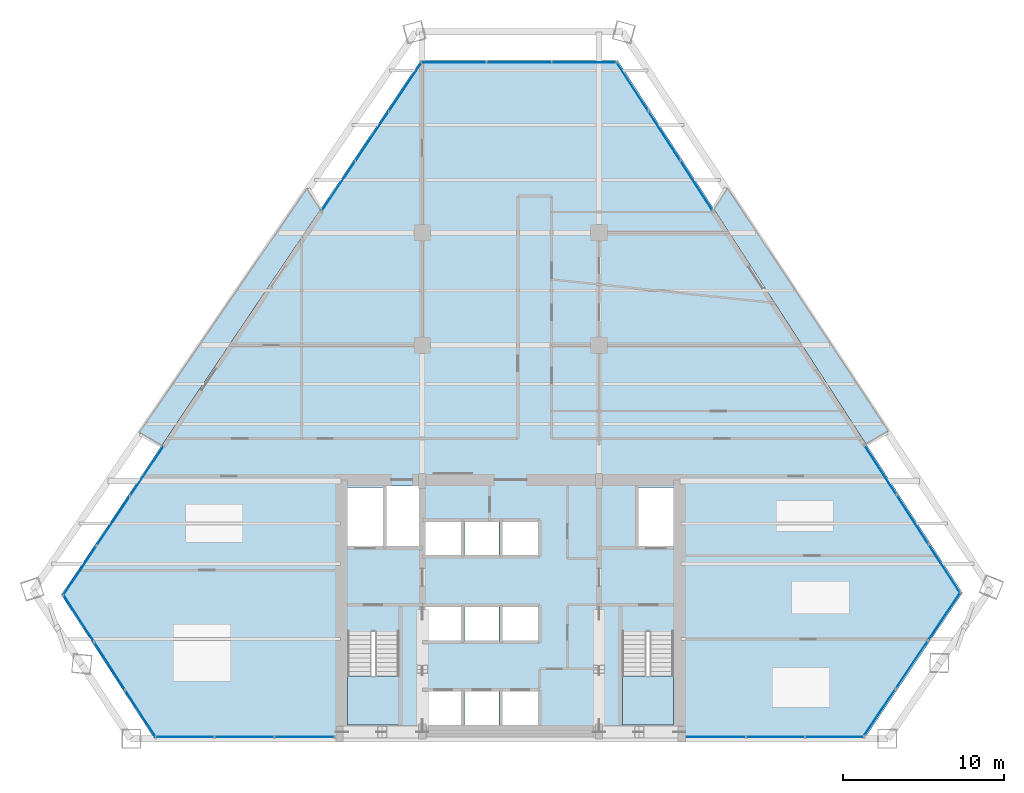
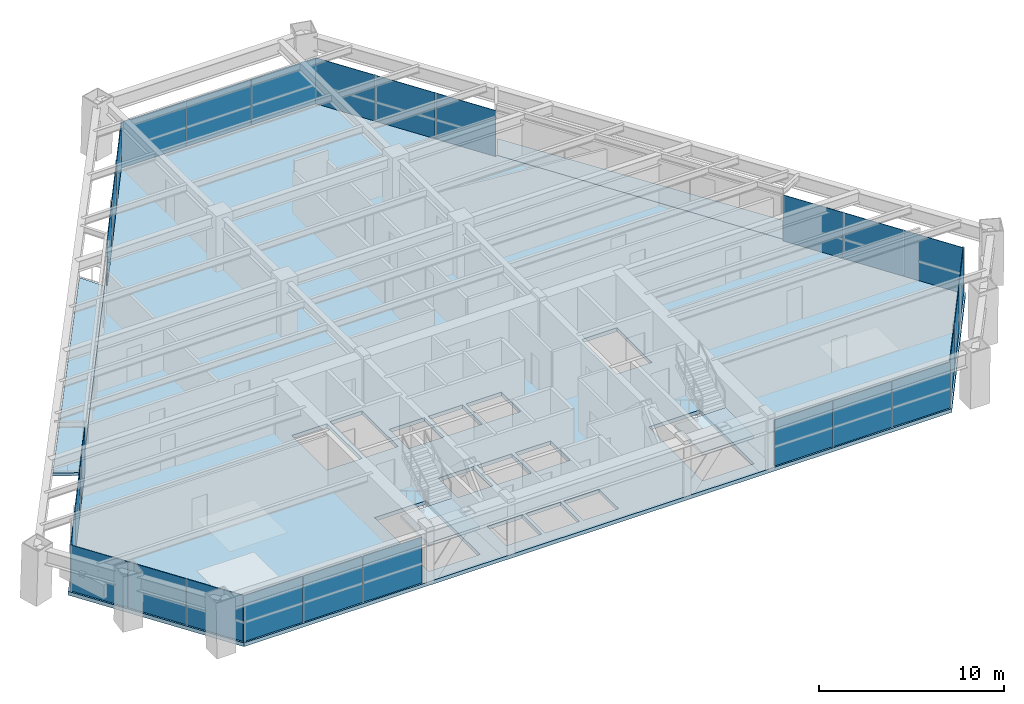
# One storey, part 9 of 14: 27 plates, 5 slabs, 11 elements without a shape of their own.
"""IFC4 building model written with IfcOpenShell, lengths in metres."""

from ifc_helpers import new_model, si_unit, direction, frame, origin, origin_2d, place, context, subcontext, project, spatial, polyline, rectangle, outline, extrude, source, transform, mapped, material, layer, layer_set, type_object, element, aggregate, save


model = new_model("IFC4")

# Units and contexts
model_context = context("Model", 3, precision=1e-05, world=origin(), true_north=direction((0.0, 1.0)))
body_context = subcontext(model_context, "Body", "Model", "MODEL_VIEW")
ifc_project = project(units=[si_unit("LENGTHUNIT", "METRE"), si_unit("AREAUNIT", "SQUARE_METRE"), si_unit("VOLUMEUNIT", "CUBIC_METRE"), si_unit("PLANEANGLEUNIT", "RADIAN"), si_unit("MASSUNIT", "GRAM", prefix="KILO")], contexts=[model_context])

# Site, building, storey
site_placement = place(None, origin())
site = spatial("IfcSite", under=ifc_project, at=site_placement, CompositionType="ELEMENT")
building_placement = place(site_placement, origin())
building = spatial("IfcBuilding", under=site, at=building_placement, Name="Varnakhor Terracotta Tower", CompositionType="ELEMENT")
storey_placement = place(building_placement, frame((0.0, 0.0, 95.10009765625)))
storey = spatial("IfcBuildingStorey", under=building, at=storey_placement, Name="L23", CompositionType="ELEMENT", Elevation=95.10009765625)

# Stair, slab
ifc_material_1 = material(Name="Concrete C40/50", Category="concrete")
stair_type = type_object("IfcStairType", Name="STR-CORE-OFFICE-1500", PredefinedType="HALF_TURN_STAIR", material=ifc_material_1)
stair_1_placement = place(storey_placement, origin())
stair_1 = element("IfcStair", 1, at=stair_1_placement, inside=storey, type_object=stair_type, Name="L23 Core Exit Stair ST-1", PredefinedType="HALF_TURN_STAIR")
ifc_layer_1 = layer(ifc_material_1, 0.179931640625, Name="Concrete C40/50")
ifc_layer_set_1 = layer_set([ifc_layer_1], Name="Concrete C40/50")
slab_type_1 = type_object("IfcSlabType", Name="SLB-LANDING-180", PredefinedType="LANDING", material=ifc_layer_set_1)
slab_1_placement = place(storey_placement, frame((0.0, 0.0, 1.64990234375)))
slab_1 = element("IfcSlab", 2, at=slab_1_placement, type_object=slab_type_1, Name="ST-1 landing 1", PredefinedType="LANDING", context=body_context, shape_type="SweptSolid", body=[
    extrude(outline(polyline([(-10.14990234375, 3.909912109375), (-10.14990234375, 0.85009765625), (-6.949951171875, 0.85009765625), (-6.949951171875, 3.909912109375), (-10.14990234375, 3.909912109375)])), origin(), (0.0, 0.0, 1.0), 0.199951171875),
])
aggregate(stair_1, [slab_1])

stair_2_placement = place(storey_placement, origin())
stair_2 = element("IfcStair", 3, at=stair_2_placement, inside=storey, type_object=stair_type, Name="L23 Core Exit Stair ST-2", PredefinedType="HALF_TURN_STAIR")
slab_2_placement = place(storey_placement, frame((0.0, 0.0, 1.64990234375)))
slab_2 = element("IfcSlab", 4, at=slab_2_placement, type_object=slab_type_1, Name="ST-2 landing 1", PredefinedType="LANDING", context=body_context, shape_type="SweptSolid", body=[
    extrude(outline(polyline([(6.949951171875, 3.909912109375), (6.949951171875, 0.85009765625), (10.14990234375, 0.85009765625), (10.14990234375, 3.909912109375), (6.949951171875, 3.909912109375)])), origin(), (0.0, 0.0, 1.0), 0.199951171875),
])
aggregate(stair_2, [slab_2])

# Slabs
ifc_layer_2 = layer(ifc_material_1, 0.195068359375, Name="Concrete C40/50")
ifc_layer_set_2 = layer_set([ifc_layer_2], Name="Concrete C40/50")
slab_type_2 = type_object("IfcSlabType", Name="SLB-LOGGIA-EXT-195", PredefinedType="FLOOR", material=ifc_layer_set_2)
slab_3_placement = place(storey_placement, frame((0.0, 0.0, -0.195068359375)))
element("IfcSlab", 5, at=slab_3_placement, inside=storey, type_object=slab_type_2, Name="L23 E Recessed Outdoor Loggia Slab", PredefinedType="FLOOR", context=body_context, shape_type="SweptSolid", body=[
    extrude(outline(polyline([(13.46875, 34.31982421875), (23.530517578125, 19.12890625), (22.114501953125, 18.362548828125), (12.67529296875, 32.9453125), (13.46875, 34.31982421875)])), origin(), (0.0, 0.0, 1.0), 0.195068359375),
])
slab_4_placement = place(storey_placement, frame((0.0, 0.0, -0.195068359375)))
element("IfcSlab", 6, at=slab_4_placement, inside=storey, type_object=slab_type_2, Name="L23 W Recessed Outdoor Loggia Slab", PredefinedType="FLOOR", context=body_context, shape_type="SweptSolid", body=[
    extrude(outline(polyline([(-23.12890625, 19.0390625), (-12.66162109375, 34.284912109375), (-11.86669921875, 32.91162109375), (-21.709228515625, 18.2763671875), (-23.12890625, 19.0390625)])), origin(), (0.0, 0.0, 1.0), 0.195068359375),
])
ifc_layer_3 = layer(ifc_material_1, 0.25, Name="Concrete C40/50")
ifc_layer_set_3 = layer_set([ifc_layer_3], Name="Concrete C40/50")
slab_type_3 = type_object("IfcSlabType", Name="SLB-OFF-250", PredefinedType="FLOOR", material=ifc_layer_set_3)
slab_5_placement = place(storey_placement, frame((0.0, 0.0, -0.25)))
element("IfcSlab", 7, at=slab_5_placement, inside=storey, type_object=slab_type_3, Name="L23 Structural Floor Slab", PredefinedType="FLOOR", context=body_context, shape_type="SweptSolid", body=[
    extrude(outline(polyline([(-27.97265625, 8.962890625), (-5.603515625, 42.22509765625), (6.668701171875, 42.22509765625), (28.12109375, 9.082763671875), (22.012939453125, 0.0), (-22.171142578125, 0.0), (-27.97265625, 8.962890625)]), holes=[polyline([(-3.10009765625, 0.85009765625), (-3.10009765625, 2.949951171875), (-5.300048828125, 2.949951171875), (-5.300048828125, 0.85009765625), (-3.10009765625, 0.85009765625)]), polyline([(-2.8798828125, 0.85009765625), (-0.719970703125, 0.85009765625), (-0.719970703125, 2.949951171875), (-2.8798828125, 2.949951171875), (-2.8798828125, 0.85009765625)]), polyline([(-10.14990234375, 0.85009765625), (-6.949951171875, 0.85009765625), (-6.949951171875, 6.695068359375), (-10.14990234375, 6.695068359375), (-10.14990234375, 0.85009765625)]), polyline([(-5.300048828125, 6.10009765625), (-3.10009765625, 6.10009765625), (-3.10009765625, 8.199951171875), (-5.300048828125, 8.199951171875), (-5.300048828125, 6.10009765625)]), polyline([(-5.300048828125, 11.419921875), (-3.10009765625, 11.419921875), (-3.10009765625, 13.52001953125), (-5.300048828125, 13.52001953125), (-5.300048828125, 11.419921875)]), polyline([(-10.14990234375, 11.8798828125), (-7.949951171875, 11.8798828125), (-7.949951171875, 15.64990234375), (-10.14990234375, 15.64990234375), (-10.14990234375, 11.8798828125)]), polyline([(-7.72998046875, 11.8798828125), (-5.699951171875, 11.8798828125), (-5.699951171875, 15.75), (-7.72998046875, 15.75), (-7.72998046875, 11.8798828125)]), polyline([(1.699951171875, 0.85009765625), (1.699951171875, 2.949951171875), (-0.5, 2.949951171875), (-0.5, 0.85009765625), (1.699951171875, 0.85009765625)]), polyline([(6.949951171875, 0.85009765625), (10.14990234375, 0.85009765625), (10.14990234375, 6.695068359375), (6.949951171875, 6.695068359375), (6.949951171875, 0.85009765625)]), polyline([(-2.8798828125, 6.10009765625), (-0.719970703125, 6.10009765625), (-0.719970703125, 8.199951171875), (-2.8798828125, 8.199951171875), (-2.8798828125, 6.10009765625)]), polyline([(-0.5, 6.10009765625), (1.699951171875, 6.10009765625), (1.699951171875, 8.199951171875), (-0.5, 8.199951171875), (-0.5, 6.10009765625)]), polyline([(-2.8798828125, 11.419921875), (-0.719970703125, 11.419921875), (-0.719970703125, 13.52001953125), (-2.8798828125, 13.52001953125), (-2.8798828125, 11.419921875)]), polyline([(-0.5, 11.419921875), (1.699951171875, 11.419921875), (1.699951171875, 13.52001953125), (-0.5, 13.52001953125), (-0.5, 11.419921875)]), polyline([(7.949951171875, 11.8798828125), (10.14990234375, 11.8798828125), (10.14990234375, 15.64990234375), (7.949951171875, 15.64990234375), (7.949951171875, 11.8798828125)])]), origin(), (0.0, 0.0, 1.0), 0.25),
])

# Curtain wall, plates
ifc_material_2 = material(Name="Anodised Aluminium Curtain Wall System", Category="aluminium")
curtain_wall_type = type_object("IfcCurtainWallType", Name="CW-SYS-LOW-OFFICE", PredefinedType="NOTDEFINED", material=ifc_material_2)
curtain_wall_1_placement = place(storey_placement, origin())
curtain_wall_1 = element("IfcCurtainWall", 8, at=curtain_wall_1_placement, inside=storey, type_object=curtain_wall_type, Name="L23 Facet Curtain Wall 6", PredefinedType="NOTDEFINED")
ifc_material_3 = material(Name="Solar-Control Low-E Insulated Glass Panel", Category="glass")
ifc_layer_4 = layer(ifc_material_3, 0.0380859375, Name="Solar-Control Low-E Insulated Glass Panel")
ifc_layer_set_4 = layer_set([ifc_layer_4], Name="Solar-Control Low-E Insulated Glass Panel")
plate_type = type_object("IfcPlateType", Name="CWP-02", PredefinedType="CURTAIN_PANEL", material=ifc_layer_set_4)
shared_shape_1 = source(origin(), body_context, "Body", "SweptSolid", [
    extrude(rectangle(XDim=3.498779296875, YDim=0.035888671875, at=origin_2d()), origin(), (0.0, 0.0, 1.0), 3.030029296875),
])
plate_1_placement = place(storey_placement, frame((-23.048095703125, 1.57568359375, 0.0), z_axis=(0.0, 0.0, 1.0), x_axis=(-0.543379591569, 0.839487116915, 0.0)))
plate_1 = element("IfcPlate", 9, at=plate_1_placement, type_object=plate_type, Name="L23 Facet Curtain Wall 6 Glazed Panel 1", PredefinedType="CURTAIN_PANEL", context=body_context, shape_type="MappedRepresentation", body=[
    mapped(shared_shape_1, transform((0.0, 0.0, 0.0), scale=1.0)),
])
plate_2_placement = place(storey_placement, frame((-26.89404296875, 7.517578125, 0.0), z_axis=(0.0, 0.0, 1.0), x_axis=(-0.543379591569, 0.839487116915, 0.0)))
plate_2 = element("IfcPlate", 10, at=plate_2_placement, type_object=plate_type, Name="L23 Facet Curtain Wall 6 Glazed Panel 3", PredefinedType="CURTAIN_PANEL", context=body_context, shape_type="MappedRepresentation", body=[
    mapped(shared_shape_1, transform((0.0, 0.0, 0.0), scale=1.0)),
])

curtain_wall_2_placement = place(storey_placement, origin())
curtain_wall_2 = element("IfcCurtainWall", 11, at=curtain_wall_2_placement, inside=storey, type_object=curtain_wall_type, Name="L23 W Facet Curtain Wall 1", PredefinedType="NOTDEFINED")
shared_shape_2 = source(origin(), body_context, "Body", "SweptSolid", [
    extrude(rectangle(XDim=3.68115234375, YDim=0.035888671875, at=origin_2d()), origin(), (0.0, 0.0, 1.0), 3.030029296875),
])
plate_3_placement = place(storey_placement, frame((-26.818115234375, 10.464599609375, 0.0), z_axis=(0.0, 0.0, 1.0), x_axis=(0.558049286902, 0.82980780509, 0.0)))
plate_3 = element("IfcPlate", 12, at=plate_3_placement, type_object=plate_type, Name="L23 W Facet Curtain Wall 1 Glazed Panel 1", PredefinedType="CURTAIN_PANEL", context=body_context, shape_type="MappedRepresentation", body=[
    mapped(shared_shape_2, transform((0.0, 0.0, 0.0), scale=1.0)),
])
plate_4_placement = place(storey_placement, frame((-22.664794921875, 16.640380859375, 0.0), z_axis=(0.0, 0.0, 1.0), x_axis=(0.558049286902, 0.82980780509, 0.0)))
plate_4 = element("IfcPlate", 13, at=plate_4_placement, type_object=plate_type, Name="L23 W Facet Curtain Wall 1 Glazed Panel 3", PredefinedType="CURTAIN_PANEL", context=body_context, shape_type="MappedRepresentation", body=[
    mapped(shared_shape_2, transform((0.0, 0.0, 0.0), scale=1.0)),
])

curtain_wall_3_placement = place(storey_placement, origin())
curtain_wall_3 = element("IfcCurtainWall", 14, at=curtain_wall_3_placement, inside=storey, type_object=curtain_wall_type, Name="L23 W Facet Curtain Wall 2", PredefinedType="NOTDEFINED")
plate_5_placement = place(storey_placement, frame((-8.635498046875, 37.50146484375, 0.0), z_axis=(0.0, 0.0, 1.0), x_axis=(0.558049286902, 0.82980780509, 0.0)))
plate_5 = element("IfcPlate", 15, at=plate_5_placement, type_object=plate_type, Name="L23 W Facet Curtain Wall 2 Glazed Panel 2", PredefinedType="CURTAIN_PANEL", context=body_context, shape_type="MappedRepresentation", body=[
    mapped(shared_shape_2, transform((0.0, 0.0, 0.0), scale=1.0)),
])
plate_6_placement = place(storey_placement, frame((-6.558837890625, 40.589111328125, 0.0), z_axis=(0.0, 0.0, 1.0), x_axis=(0.558049286902, 0.82980780509, 0.0)))
plate_6 = element("IfcPlate", 16, at=plate_6_placement, type_object=plate_type, Name="L23 W Facet Curtain Wall 2 Glazed Panel 3", PredefinedType="CURTAIN_PANEL", context=body_context, shape_type="MappedRepresentation", body=[
    mapped(shared_shape_2, transform((0.0, 0.0, 0.0), scale=1.0)),
])

# Plate
shared_shape_3 = source(origin(), body_context, "Body", "SweptSolid", [
    extrude(rectangle(XDim=3.681396484375, YDim=0.035888671875, at=origin_2d()), origin(), (0.0, 0.0, 1.0), 3.030029296875),
])
plate_7_placement = place(storey_placement, frame((-24.7412109375, 13.552490234375, 0.0), z_axis=(0.0, 0.0, 1.0), x_axis=(0.558049286902, 0.82980780509, 0.0)))
plate_7 = element("IfcPlate", 17, at=plate_7_placement, type_object=plate_type, Name="L23 W Facet Curtain Wall 1 Glazed Panel 2", PredefinedType="CURTAIN_PANEL", context=body_context, shape_type="MappedRepresentation", body=[
    mapped(shared_shape_3, transform((0.0, 0.0, 0.0), scale=1.0)),
])

aggregate(curtain_wall_2, [plate_3, plate_7, plate_4])

plate_8_placement = place(storey_placement, frame((-10.712158203125, 34.413330078125, 0.0), z_axis=(0.0, 0.0, 1.0), x_axis=(0.558049286902, 0.82980780509, 0.0)))
plate_8 = element("IfcPlate", 18, at=plate_8_placement, type_object=plate_type, Name="L23 W Facet Curtain Wall 2 Glazed Panel 1", PredefinedType="CURTAIN_PANEL", context=body_context, shape_type="MappedRepresentation", body=[
    mapped(shared_shape_3, transform((0.0, 0.0, 0.0), scale=1.0)),
])

aggregate(curtain_wall_3, [plate_8, plate_5, plate_6])

# Curtain wall, plates
curtain_wall_4_placement = place(storey_placement, origin())
curtain_wall_4 = element("IfcCurtainWall", 19, at=curtain_wall_4_placement, inside=storey, type_object=curtain_wall_type, Name="L23 Facet Curtain Wall 2", PredefinedType="NOTDEFINED")
shared_shape_4 = source(origin(), body_context, "Body", "SweptSolid", [
    extrude(rectangle(XDim=4.03076171875, YDim=0.035888671875, at=origin_2d()), origin(), (0.0, 0.0, 1.0), 3.030029296875),
])
plate_9_placement = place(storey_placement, frame((-3.5380859375, 42.10498046875, 0.0), z_axis=(0.0, 0.0, 1.0), x_axis=(1.0, 0.0, 0.0)))
plate_9 = element("IfcPlate", 20, at=plate_9_placement, type_object=plate_type, Name="L23 Facet Curtain Wall 2 Glazed Panel 1", PredefinedType="CURTAIN_PANEL", context=body_context, shape_type="MappedRepresentation", body=[
    mapped(shared_shape_4, transform((0.0, 0.0, 0.0), scale=1.0)),
])
plate_10_placement = place(storey_placement, frame((0.53271484375, 42.10498046875, 0.0), z_axis=(0.0, 0.0, 1.0), x_axis=(1.0, 0.0, 0.0)))
plate_10 = element("IfcPlate", 21, at=plate_10_placement, type_object=plate_type, Name="L23 Facet Curtain Wall 2 Glazed Panel 2", PredefinedType="CURTAIN_PANEL", context=body_context, shape_type="MappedRepresentation", body=[
    mapped(shared_shape_4, transform((0.0, 0.0, 0.0), scale=1.0)),
])
plate_11_placement = place(storey_placement, frame((4.603271484375, 42.10498046875, 0.0), z_axis=(0.0, 0.0, 1.0), x_axis=(1.0, 0.0, 0.0)))
plate_11 = element("IfcPlate", 22, at=plate_11_placement, type_object=plate_type, Name="L23 Facet Curtain Wall 2 Glazed Panel 3", PredefinedType="CURTAIN_PANEL", context=body_context, shape_type="MappedRepresentation", body=[
    mapped(shared_shape_4, transform((0.0, 0.0, 0.0), scale=1.0)),
])
aggregate(curtain_wall_4, [plate_9, plate_10, plate_11])

curtain_wall_5_placement = place(storey_placement, origin())
curtain_wall_5 = element("IfcCurtainWall", 23, at=curtain_wall_5_placement, inside=storey, type_object=curtain_wall_type, Name="L23 E Facet Curtain Wall 1", PredefinedType="NOTDEFINED")
shared_shape_5 = source(origin(), body_context, "Body", "SweptSolid", [
    extrude(rectangle(XDim=3.624755859375, YDim=0.035888671875, at=origin_2d()), origin(), (0.0, 0.0, 1.0), 3.030029296875),
])
plate_12_placement = place(storey_placement, frame((7.580078125, 40.596435546875, 0.0), z_axis=(0.0, 0.0, 1.0), x_axis=(0.543379591569, -0.839487116915, 0.0)))
plate_12 = element("IfcPlate", 24, at=plate_12_placement, type_object=plate_type, Name="L23 E Facet Curtain Wall 1 Glazed Panel 1", PredefinedType="CURTAIN_PANEL", context=body_context, shape_type="MappedRepresentation", body=[
    mapped(shared_shape_5, transform((0.0, 0.0, 0.0), scale=1.0)),
])
plate_13_placement = place(storey_placement, frame((9.5712890625, 37.52001953125, 0.0), z_axis=(0.0, 0.0, 1.0), x_axis=(0.543379591569, -0.839487116915, 0.0)))
plate_13 = element("IfcPlate", 25, at=plate_13_placement, type_object=plate_type, Name="L23 E Facet Curtain Wall 1 Glazed Panel 2", PredefinedType="CURTAIN_PANEL", context=body_context, shape_type="MappedRepresentation", body=[
    mapped(shared_shape_5, transform((0.0, 0.0, 0.0), scale=1.0)),
])
plate_14_placement = place(storey_placement, frame((11.562744140625, 34.443359375, 0.0), z_axis=(0.0, 0.0, 1.0), x_axis=(0.543379591569, -0.839487116915, 0.0)))
plate_14 = element("IfcPlate", 26, at=plate_14_placement, type_object=plate_type, Name="L23 E Facet Curtain Wall 1 Glazed Panel 3", PredefinedType="CURTAIN_PANEL", context=body_context, shape_type="MappedRepresentation", body=[
    mapped(shared_shape_5, transform((0.0, 0.0, 0.0), scale=1.0)),
])
aggregate(curtain_wall_5, [plate_12, plate_13, plate_14])

curtain_wall_6_placement = place(storey_placement, origin())
curtain_wall_6 = element("IfcCurtainWall", 27, at=curtain_wall_6_placement, inside=storey, type_object=curtain_wall_type, Name="L23 E Facet Curtain Wall 2", PredefinedType="NOTDEFINED")
plate_15_placement = place(storey_placement, frame((23.02587890625, 16.73388671875, 0.0), z_axis=(0.0, 0.0, 1.0), x_axis=(0.543379591569, -0.839487116915, 0.0)))
plate_15 = element("IfcPlate", 28, at=plate_15_placement, type_object=plate_type, Name="L23 E Facet Curtain Wall 2 Glazed Panel 1", PredefinedType="CURTAIN_PANEL", context=body_context, shape_type="MappedRepresentation", body=[
    mapped(shared_shape_5, transform((0.0, 0.0, 0.0), scale=1.0)),
])
plate_16_placement = place(storey_placement, frame((25.01708984375, 13.657470703125, 0.0), z_axis=(0.0, 0.0, 1.0), x_axis=(0.543379591569, -0.839487116915, 0.0)))
plate_16 = element("IfcPlate", 29, at=plate_16_placement, type_object=plate_type, Name="L23 E Facet Curtain Wall 2 Glazed Panel 2", PredefinedType="CURTAIN_PANEL", context=body_context, shape_type="MappedRepresentation", body=[
    mapped(shared_shape_5, transform((0.0, 0.0, 0.0), scale=1.0)),
])
plate_17_placement = place(storey_placement, frame((27.008544921875, 10.5810546875, 0.0), z_axis=(0.0, 0.0, 1.0), x_axis=(0.543379591569, -0.839487116915, 0.0)))
plate_17 = element("IfcPlate", 30, at=plate_17_placement, type_object=plate_type, Name="L23 E Facet Curtain Wall 2 Glazed Panel 3", PredefinedType="CURTAIN_PANEL", context=body_context, shape_type="MappedRepresentation", body=[
    mapped(shared_shape_5, transform((0.0, 0.0, 0.0), scale=1.0)),
])
aggregate(curtain_wall_6, [plate_15, plate_16, plate_17])

curtain_wall_7_placement = place(storey_placement, origin())
curtain_wall_7 = element("IfcCurtainWall", 31, at=curtain_wall_7_placement, inside=storey, type_object=curtain_wall_type, Name="L23 Facet Curtain Wall 4", PredefinedType="NOTDEFINED")
shared_shape_6 = source(origin(), body_context, "Body", "SweptSolid", [
    extrude(rectangle(XDim=3.588623046875, YDim=0.035888671875, at=origin_2d()), origin(), (0.0, 0.0, 1.0), 3.030029296875),
])
plate_18_placement = place(storey_placement, frame((26.992431640625, 7.619384765625, 0.0), z_axis=(0.0, 0.0, 1.0), x_axis=(-0.558049286902, -0.82980780509, 0.0)))
plate_18 = element("IfcPlate", 32, at=plate_18_placement, type_object=plate_type, Name="L23 Facet Curtain Wall 4 Glazed Panel 1", PredefinedType="CURTAIN_PANEL", context=body_context, shape_type="MappedRepresentation", body=[
    mapped(shared_shape_6, transform((0.0, 0.0, 0.0), scale=1.0)),
])
shared_shape_7 = source(origin(), body_context, "Body", "SweptSolid", [
    extrude(rectangle(XDim=3.58837890625, YDim=0.035888671875, at=origin_2d()), origin(), (0.0, 0.0, 1.0), 3.030029296875),
])
plate_19_placement = place(storey_placement, frame((24.96728515625, 4.6083984375, 0.0), z_axis=(0.0, 0.0, 1.0), x_axis=(-0.558049286902, -0.82980780509, 0.0)))
plate_19 = element("IfcPlate", 33, at=plate_19_placement, type_object=plate_type, Name="L23 Facet Curtain Wall 4 Glazed Panel 2", PredefinedType="CURTAIN_PANEL", context=body_context, shape_type="MappedRepresentation", body=[
    mapped(shared_shape_7, transform((0.0, 0.0, 0.0), scale=1.0)),
])
plate_20_placement = place(storey_placement, frame((22.9423828125, 1.597412109375, 0.0), z_axis=(0.0, 0.0, 1.0), x_axis=(-0.558049286902, -0.82980780509, 0.0)))
plate_20 = element("IfcPlate", 34, at=plate_20_placement, type_object=plate_type, Name="L23 Facet Curtain Wall 4 Glazed Panel 3", PredefinedType="CURTAIN_PANEL", context=body_context, shape_type="MappedRepresentation", body=[
    mapped(shared_shape_7, transform((0.0, 0.0, 0.0), scale=1.0)),
])
aggregate(curtain_wall_7, [plate_18, plate_19, plate_20])

curtain_wall_8_placement = place(storey_placement, origin())
curtain_wall_8 = element("IfcCurtainWall", 35, at=curtain_wall_8_placement, inside=storey, type_object=curtain_wall_type, Name="L23 South Wing Curtain Wall SSE", PredefinedType="NOTDEFINED")
shared_shape_8 = source(origin(), body_context, "Body", "SweptSolid", [
    extrude(rectangle(XDim=3.6376953125, YDim=0.035888671875, at=origin_2d()), origin(), (0.0, 0.0, 1.0), 3.030029296875),
])
plate_21_placement = place(storey_placement, frame((20.1640625, 0.1201171875, 0.0), z_axis=(0.0, 0.0, 1.0), x_axis=(-1.0, 0.0, 0.0)))
plate_21 = element("IfcPlate", 36, at=plate_21_placement, type_object=plate_type, Name="L23 South Wing Curtain Wall SSE Glazed Panel 1", PredefinedType="CURTAIN_PANEL", context=body_context, shape_type="MappedRepresentation", body=[
    mapped(shared_shape_8, transform((0.0, 0.0, 0.0), scale=1.0)),
])
plate_22_placement = place(storey_placement, frame((16.486328125, 0.1201171875, 0.0), z_axis=(0.0, 0.0, 1.0), x_axis=(-1.0, 0.0, 0.0)))
plate_22 = element("IfcPlate", 37, at=plate_22_placement, type_object=plate_type, Name="L23 South Wing Curtain Wall SSE Glazed Panel 2", PredefinedType="CURTAIN_PANEL", context=body_context, shape_type="MappedRepresentation", body=[
    mapped(shared_shape_8, transform((0.0, 0.0, 0.0), scale=1.0)),
])
plate_23_placement = place(storey_placement, frame((12.808837890625, 0.1201171875, 0.0), z_axis=(0.0, 0.0, 1.0), x_axis=(-1.0, 0.0, 0.0)))
plate_23 = element("IfcPlate", 38, at=plate_23_placement, type_object=plate_type, Name="L23 South Wing Curtain Wall SSE Glazed Panel 3", PredefinedType="CURTAIN_PANEL", context=body_context, shape_type="MappedRepresentation", body=[
    mapped(shared_shape_8, transform((0.0, 0.0, 0.0), scale=1.0)),
])
aggregate(curtain_wall_8, [plate_21, plate_22, plate_23])

curtain_wall_9_placement = place(storey_placement, origin())
curtain_wall_9 = element("IfcCurtainWall", 39, at=curtain_wall_9_placement, inside=storey, type_object=curtain_wall_type, Name="L23 South Wing Curtain Wall SSW", PredefinedType="NOTDEFINED")
shared_shape_9 = source(origin(), body_context, "Body", "SweptSolid", [
    extrude(rectangle(XDim=3.6904296875, YDim=0.035888671875, at=origin_2d()), origin(), (0.0, 0.0, 1.0), 3.030029296875),
])
plate_24_placement = place(storey_placement, frame((-12.835205078125, 0.1201171875, 0.0), z_axis=(0.0, 0.0, 1.0), x_axis=(-1.0, 0.0, 0.0)))
plate_24 = element("IfcPlate", 40, at=plate_24_placement, type_object=plate_type, Name="L23 South Wing Curtain Wall SSW Glazed Panel 1", PredefinedType="CURTAIN_PANEL", context=body_context, shape_type="MappedRepresentation", body=[
    mapped(shared_shape_9, transform((0.0, 0.0, 0.0), scale=1.0)),
])
plate_25_placement = place(storey_placement, frame((-20.2958984375, 0.1201171875, 0.0), z_axis=(0.0, 0.0, 1.0), x_axis=(-1.0, 0.0, 0.0)))
plate_25 = element("IfcPlate", 41, at=plate_25_placement, type_object=plate_type, Name="L23 South Wing Curtain Wall SSW Glazed Panel 3", PredefinedType="CURTAIN_PANEL", context=body_context, shape_type="MappedRepresentation", body=[
    mapped(shared_shape_9, transform((0.0, 0.0, 0.0), scale=1.0)),
])
shared_shape_10 = source(origin(), body_context, "Body", "SweptSolid", [
    extrude(rectangle(XDim=3.690185546875, YDim=0.035888671875, at=origin_2d()), origin(), (0.0, 0.0, 1.0), 3.030029296875),
])
plate_26_placement = place(storey_placement, frame((-16.565673828125, 0.1201171875, 0.0), z_axis=(0.0, 0.0, 1.0), x_axis=(-1.0, 0.0, 0.0)))
plate_26 = element("IfcPlate", 42, at=plate_26_placement, type_object=plate_type, Name="L23 South Wing Curtain Wall SSW Glazed Panel 2", PredefinedType="CURTAIN_PANEL", context=body_context, shape_type="MappedRepresentation", body=[
    mapped(shared_shape_10, transform((0.0, 0.0, 0.0), scale=1.0)),
])
aggregate(curtain_wall_9, [plate_24, plate_26, plate_25])

# Plate
shared_shape_11 = source(origin(), body_context, "Body", "SweptSolid", [
    extrude(rectangle(XDim=3.4990234375, YDim=0.035888671875, at=origin_2d()), origin(), (0.0, 0.0, 1.0), 3.030029296875),
])
plate_27_placement = place(storey_placement, frame((-24.97119140625, 4.546630859375, 0.0), z_axis=(0.0, 0.0, 1.0), x_axis=(-0.543379591569, 0.839487116915, 0.0)))
plate_27 = element("IfcPlate", 43, at=plate_27_placement, type_object=plate_type, Name="L23 Facet Curtain Wall 6 Glazed Panel 2", PredefinedType="CURTAIN_PANEL", context=body_context, shape_type="MappedRepresentation", body=[
    mapped(shared_shape_11, transform((0.0, 0.0, 0.0), scale=1.0)),
])

aggregate(curtain_wall_1, [plate_1, plate_27, plate_2])

save(model, "model.ifc")
